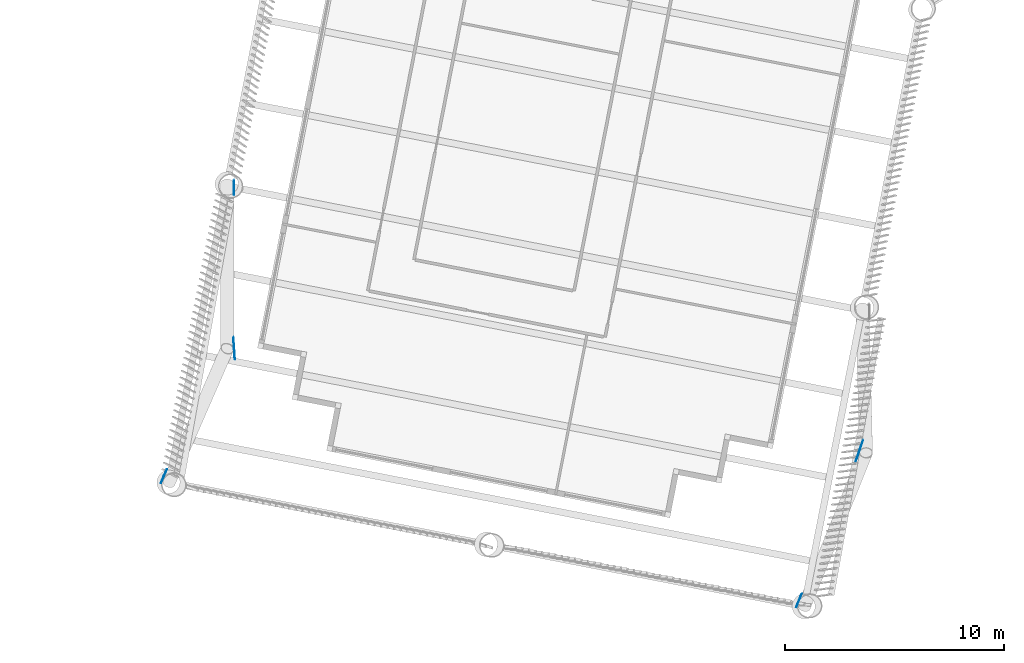
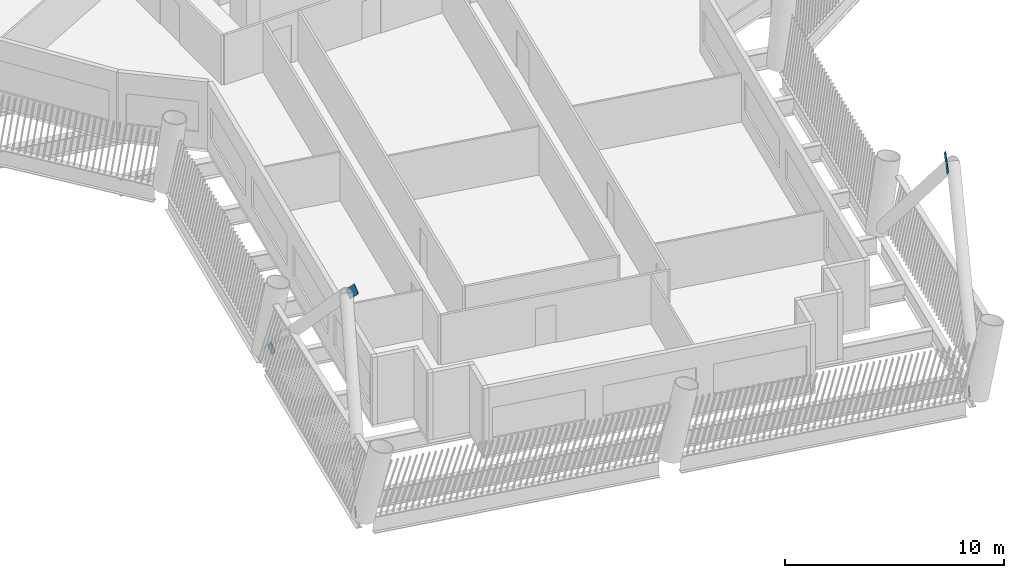
# One storey, part 8 of 24: 5 discrete accessories.
"""IFC4 building model written with IfcOpenShell, lengths in metres."""

from ifc_helpers import new_model, si_unit, direction, frame, origin, origin_2d, place, context, subcontext, project, spatial, rectangle, extrude, material, material_profile, profile_set, type_object, element, save


model = new_model("IFC4")

# Units and contexts
model_context = context("Model", 3, precision=1e-05, world=origin(), true_north=direction((0.0, 1.0)))
body_context = subcontext(model_context, "Body", "Model", "MODEL_VIEW")
ifc_project = project(units=[si_unit("LENGTHUNIT", "METRE"), si_unit("AREAUNIT", "SQUARE_METRE"), si_unit("VOLUMEUNIT", "CUBIC_METRE"), si_unit("PLANEANGLEUNIT", "RADIAN"), si_unit("MASSUNIT", "GRAM", prefix="KILO")], contexts=[model_context])

# Site, building, storey
site_placement = place(None, origin())
site = spatial("IfcSite", under=ifc_project, at=site_placement, CompositionType="ELEMENT")
building_placement = place(site_placement, origin())
building = spatial("IfcBuilding", under=site, at=building_placement, Name="Tarsis Ring Headquarters", CompositionType="ELEMENT")
storey_placement = place(building_placement, frame((0.0, 0.0, 178.800048828125)))
storey = spatial("IfcBuildingStorey", under=building, at=storey_placement, Name="L41", CompositionType="ELEMENT", Elevation=178.800048828125)

# Discrete accessories
ifc_material = material(Name="Structural steel S355", Category="steel")
ifc_material_profile = material_profile(ifc_material, rectangle(XDim=0.02490234375, YDim=0.5, at=origin_2d()), Name="PL 25x500")
ifc_profile_set = profile_set([ifc_material_profile], Name="Structural steel S355")
discrete_accessory_type = type_object("IfcDiscreteAccessoryType", Name="Gusset plate Exo brace 25", PredefinedType="BRACKET", material=ifc_profile_set)
discrete_accessory_1_placement = place(storey_placement, frame((-21.669921875, -35.3359375, 0.0), z_axis=(0.000488260588, -0.694794816143, 0.719207845523), x_axis=(0.999999753078, 0.000702740515, 0.0)))
element("IfcDiscreteAccessory", 1, at=discrete_accessory_1_placement, inside=storey, type_object=discrete_accessory_type, Name="Gusset plate GP5", PredefinedType="BRACKET", context=body_context, shape_type="SweptSolid", body=[
    extrude(rectangle(XDim=0.02490234375, YDim=0.5, at=origin_2d()), origin(), (0.0, 0.0, 1.0), 0.5),
])
discrete_accessory_2_placement = place(storey_placement, frame((-21.691650390625, -42.50048828125, 7.44189453125), z_axis=(0.046636894658, -0.69637918097, 0.71615713106), x_axis=(0.997764988226, 0.066820867024, 0.0)))
element("IfcDiscreteAccessory", 2, at=discrete_accessory_2_placement, inside=storey, type_object=discrete_accessory_type, Name="Gusset plate GP5", PredefinedType="BRACKET", context=body_context, shape_type="SweptSolid", body=[
    extrude(rectangle(XDim=0.02490234375, YDim=0.5, at=origin_2d()), origin(), (0.0, 0.0, 1.0), 0.999755859375),
])
for number, where, z_axis, x_axis, name in (
    (3, (-24.94482421875, -48.85302734375, 0.0), (0.260254061374, 0.595215198526, 0.760254359397), (-0.916243566934, 0.400621674467, 0.0), "Gusset plate GP5"),
    (4, (4.101806640625, -54.539794921875, 0.0), (0.260768860713, 0.646062177384, 0.71735853256), (-0.927312023858, 0.374289206909, 0.0), "Gusset plate GP5"),
):
    element("IfcDiscreteAccessory", number, at=place(storey_placement, frame(where, z_axis=z_axis, x_axis=x_axis)), inside=storey, type_object=discrete_accessory_type, Name=name, PredefinedType="BRACKET", context=body_context, shape_type="SweptSolid", body=[
        extrude(rectangle(XDim=0.02490234375, YDim=0.5, at=origin_2d()), origin(), (0.0, 0.0, 1.0), 0.5),
    ])
discrete_accessory_3_placement = place(storey_placement, frame((6.81689453125, -47.85986328125, 7.44091796875), z_axis=(0.224391784909, 0.658769353302, 0.718102545612), x_axis=(-0.946592958235, 0.322431033587, 0.0)))
element("IfcDiscreteAccessory", 5, at=discrete_accessory_3_placement, inside=storey, type_object=discrete_accessory_type, Name="Gusset plate GP5", PredefinedType="BRACKET", context=body_context, shape_type="SweptSolid", body=[
    extrude(rectangle(XDim=0.02490234375, YDim=0.5, at=origin_2d()), origin(), (0.0, 0.0, 1.0), 1.0),
])

save(model, "model.ifc")
